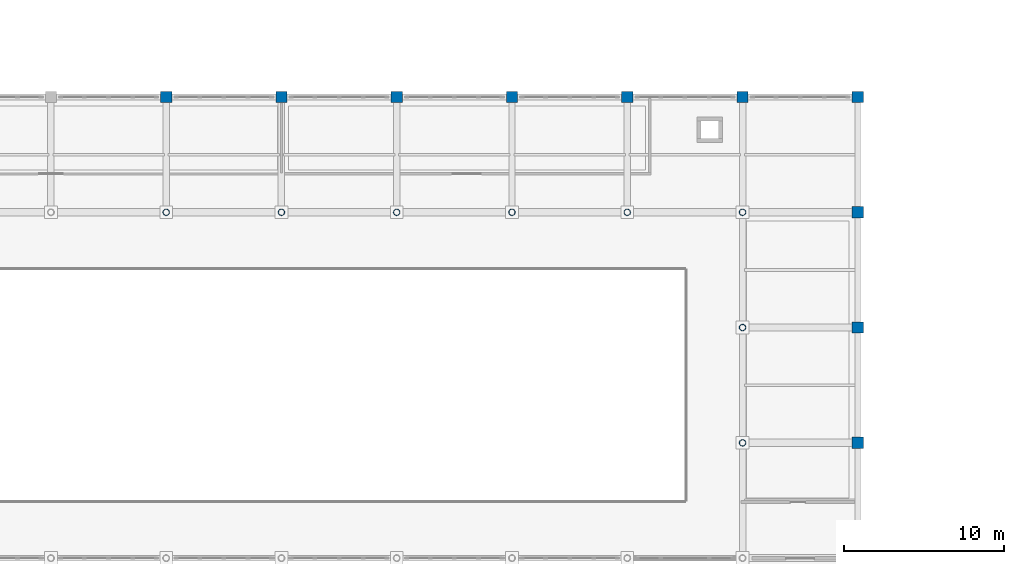
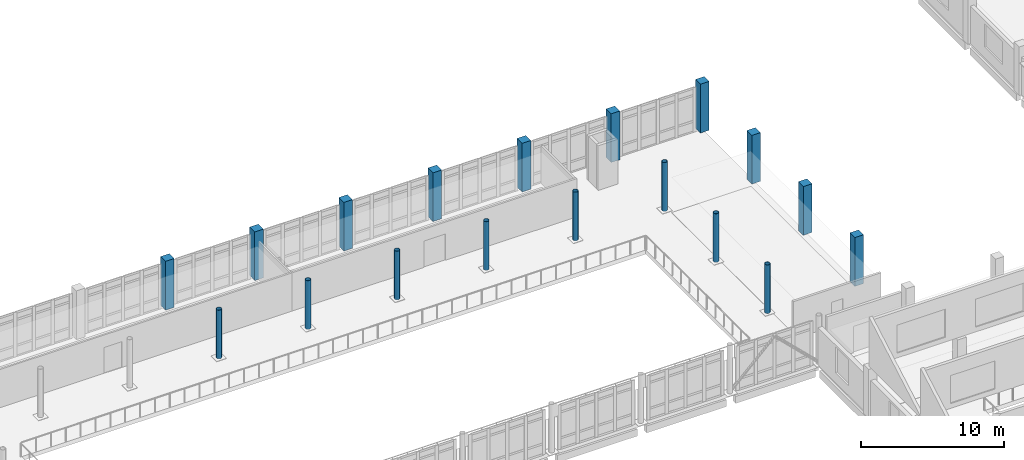
# One storey, part 7 of 62: 18 columns.
"""IFC4 building model written with IfcOpenShell, lengths in metres."""

from ifc_helpers import new_model, si_unit, direction, frame, origin, origin_2d, place, context, subcontext, project, spatial, rectangle, hollow_circle, extrude, material, material_profile, profile_set, type_object, element, save


model = new_model("IFC4")

# Units and contexts
model_context = context("Model", 3, precision=1e-05, world=origin(), true_north=direction((0.0, 1.0)))
body_context = subcontext(model_context, "Body", "Model", "MODEL_VIEW")
ifc_project = project(units=[si_unit("LENGTHUNIT", "METRE"), si_unit("AREAUNIT", "SQUARE_METRE"), si_unit("VOLUMEUNIT", "CUBIC_METRE"), si_unit("PLANEANGLEUNIT", "RADIAN"), si_unit("MASSUNIT", "GRAM", prefix="KILO")], contexts=[model_context])

# Site, building, storey
site_placement = place(None, origin())
site = spatial("IfcSite", under=ifc_project, at=site_placement, CompositionType="ELEMENT")
building_placement = place(site_placement, origin())
building = spatial("IfcBuilding", under=site, at=building_placement, Name="Valkovuoma Quantum and Materials Research Institute", CompositionType="ELEMENT")
storey_placement = place(building_placement, frame((0.0, 0.0, 8.9599609375)))
storey = spatial("IfcBuildingStorey", under=building, at=storey_placement, Name="L02", CompositionType="ELEMENT", Elevation=8.9599609375)

# Columns
ifc_material_1 = material(Name="Steel S355J2H", Category="steel")
ifc_material_profile_1 = material_profile(ifc_material_1, hollow_circle(Radius=0.203125, WallThickness=0.01611328125, at=origin_2d()), Name="Steel S355J2H")
ifc_profile_set_1 = profile_set([ifc_material_profile_1], Name="Steel S355J2H")
column_type_1 = type_object("IfcColumnType", Name="Col-C-CHS406", PredefinedType="COLUMN", material=ifc_profile_set_1)
for number, where, z_axis, x_axis, name in (
    (1, (64.800048828125, 57.60009765625, 0.0), (0.0, 0.0, 1.0), (1.0, 0.0, 0.0), "L02 column 10J"),
    (2, (72.0, 57.60009765625, 0.0), (0.0, 0.0, 1.0), (1.0, 0.0, 0.0), "L02 column 11J"),
    (3, (79.199951171875, 57.60009765625, 0.0), (0.0, 0.0, 1.0), (1.0, 0.0, 0.0), "L02 column 12J"),
    (4, (86.39990234375, 57.60009765625, 0.0), (0.0, 0.0, 1.0), (1.0, 0.0, 0.0), "L02 column 13J"),
    (5, (93.60009765625, 57.60009765625, 0.0), (0.0, 0.0, 1.0), (1.0, 0.0, 0.0), "L02 column 14J"),
    (6, (100.800048828125, 43.199951171875, 0.0), (0.0, 0.0, 1.0), (1.0, 0.0, 0.0), "L02 column 15G"),
    (7, (100.800048828125, 50.39990234375, 0.0), (0.0, 0.0, 1.0), (1.0, 0.0, 0.0), "L02 column 15H"),
    (8, (100.800048828125, 57.60009765625, 0.0), (0.0, 0.0, 1.0), (1.0, 0.0, 0.0), "L02 column 15J"),
):
    element("IfcColumn", number, at=place(storey_placement, frame(where, z_axis=z_axis, x_axis=x_axis)), inside=storey, type_object=column_type_1, Name=name, PredefinedType="COLUMN", context=body_context, shape_type="SweptSolid", body=[
        extrude(hollow_circle(Radius=0.203125, WallThickness=0.01611328125, at=origin_2d()), origin(), (0.0, 0.0, 1.0), 4.16015625),
    ])
ifc_material_2 = material(Name="Concrete C40/50", Category="concrete")
ifc_material_profile_2 = material_profile(ifc_material_2, rectangle(XDim=0.699951171875, YDim=0.699951171875, at=origin_2d()), Name="Concrete C40/50")
ifc_profile_set_2 = profile_set([ifc_material_profile_2], Name="Concrete C40/50")
column_type_2 = type_object("IfcColumnType", Name="Col-C-RC700", PredefinedType="COLUMN", material=ifc_profile_set_2)
for number, where, z_axis, x_axis, name in (
    (9, (64.800048828125, 64.800048828125, 0.0), (0.0, 0.0, 1.0), (1.0, 0.0, 0.0), "L02 column 10K"),
    (10, (72.0, 64.800048828125, 0.0), (0.0, 0.0, 1.0), (1.0, 0.0, 0.0), "L02 column 11K"),
    (11, (79.199951171875, 64.800048828125, 0.0), (0.0, 0.0, 1.0), (1.0, 0.0, 0.0), "L02 column 12K"),
    (12, (86.39990234375, 64.800048828125, 0.0), (0.0, 0.0, 1.0), (1.0, 0.0, 0.0), "L02 column 13K"),
    (13, (93.60009765625, 64.800048828125, 0.0), (0.0, 0.0, 1.0), (1.0, 0.0, 0.0), "L02 column 14K"),
    (14, (100.800048828125, 64.800048828125, 0.0), (0.0, 0.0, 1.0), (1.0, 0.0, 0.0), "L02 column 15K"),
    (15, (108.0, 43.199951171875, 0.0), (0.0, 0.0, 1.0), (1.0, 0.0, 0.0), "L02 column 16G"),
    (16, (108.0, 50.39990234375, 0.0), (0.0, 0.0, 1.0), (1.0, 0.0, 0.0), "L02 column 16H"),
    (17, (108.0, 57.60009765625, 0.0), (0.0, 0.0, 1.0), (1.0, 0.0, 0.0), "L02 column 16J"),
    (18, (108.0, 64.800048828125, 0.0), (0.0, 0.0, 1.0), (1.0, 0.0, 0.0), "L02 column 16K"),
):
    element("IfcColumn", number, at=place(storey_placement, frame(where, z_axis=z_axis, x_axis=x_axis)), inside=storey, type_object=column_type_2, Name=name, PredefinedType="COLUMN", context=body_context, shape_type="SweptSolid", body=[
        extrude(rectangle(XDim=0.699951171875, YDim=0.699951171875, at=origin_2d()), origin(), (0.0, 0.0, 1.0), 4.16015625),
    ])

save(model, "model.ifc")
